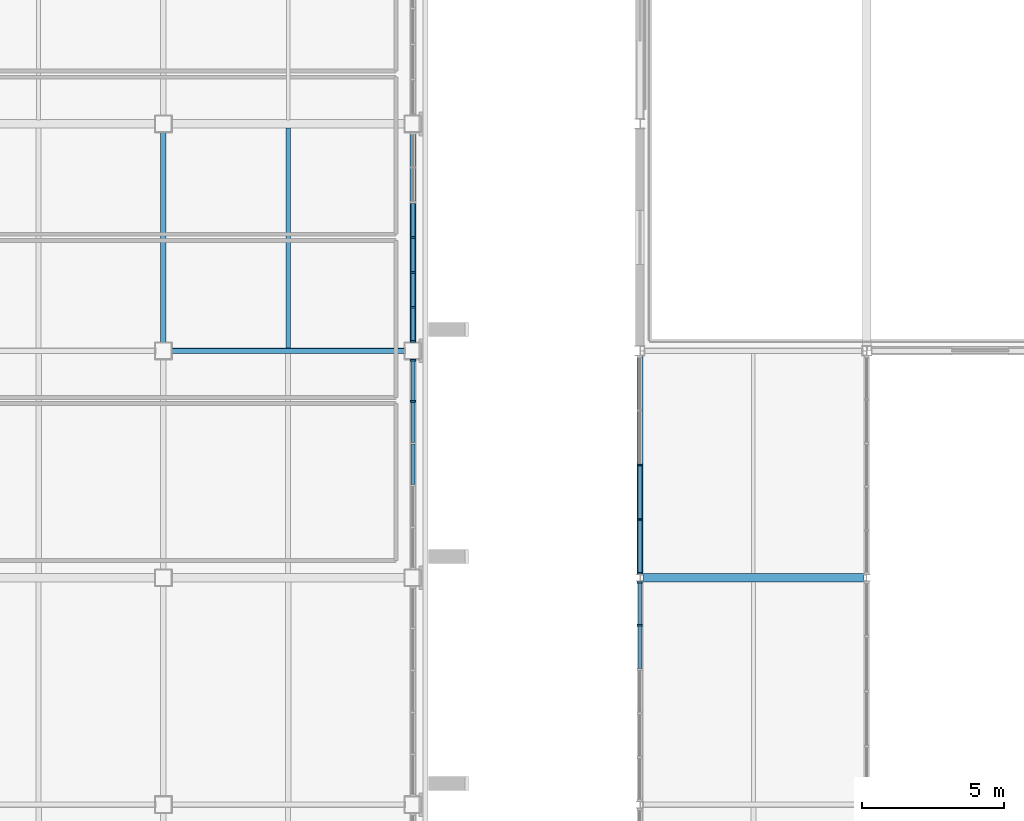
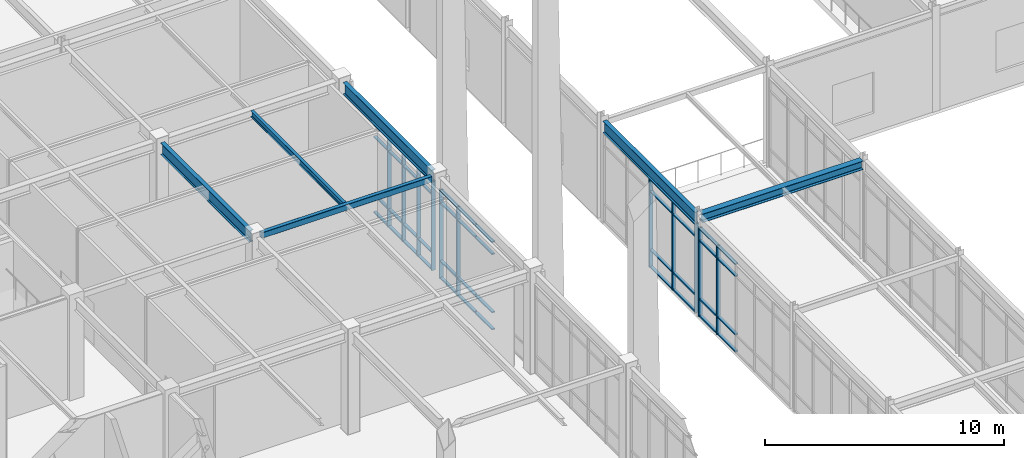
# One storey, part 43 of 184: 55 members, 6 beams, 4 elements without a shape of their own.
"""IFC4 building model written with IfcOpenShell, lengths in metres."""

from ifc_helpers import new_model, si_unit, direction, frame, origin, origin_2d, place, context, subcontext, project, spatial, rectangle, hollow_rectangle, i_section, extrude, material, material_profile, profile_set, type_object, element, aggregate, save


model = new_model("IFC4")

# Units and contexts
model_context = context("Model", 3, precision=1e-05, world=origin(), true_north=direction((0.0, 1.0)))
body_context = subcontext(model_context, "Body", "Model", "MODEL_VIEW")
ifc_project = project(units=[si_unit("LENGTHUNIT", "METRE"), si_unit("AREAUNIT", "SQUARE_METRE"), si_unit("VOLUMEUNIT", "CUBIC_METRE"), si_unit("PLANEANGLEUNIT", "RADIAN"), si_unit("MASSUNIT", "GRAM", prefix="KILO")], contexts=[model_context])

# Site, building, storey
site_placement = place(None, origin())
site = spatial("IfcSite", under=ifc_project, at=site_placement, CompositionType="ELEMENT")
building_placement = place(site_placement, origin())
building = spatial("IfcBuilding", under=site, at=building_placement, Name="Zhaolan Boulevard Law Courts", CompositionType="ELEMENT")
storey_placement = place(building_placement, frame((0.0, 0.0, 5.39990234375)))
storey = spatial("IfcBuildingStorey", under=building, at=storey_placement, Name="L01", CompositionType="ELEMENT", Elevation=5.39990234375)

# Curtain wall, members
ifc_material_1 = material(Name="Thermally broken aluminium and low-E glazing", Category="aluminium")
curtain_wall_type_1 = type_object("IfcCurtainWallType", Name="CURTAIN WALL M20", PredefinedType="USERDEFINED", material=ifc_material_1)
curtain_wall_1_placement = place(storey_placement, origin())
curtain_wall_1 = element("IfcCurtainWall", 1, at=curtain_wall_1_placement, inside=storey, type_object=curtain_wall_type_1, Name="Curtain Wall CW-L01-068", ObjectType="CURTAIN WALL", PredefinedType="USERDEFINED")
ifc_material_2 = material(Name="Fluorocarbon-coated aluminium 6063-T6", Category="aluminium")
ifc_material_profile_1 = material_profile(ifc_material_2, rectangle(XDim=0.179931640625, YDim=0.06494140625, at=origin_2d()), Name="AL65x180")
ifc_profile_set_1 = profile_set([ifc_material_profile_1], Name="Fluorocarbon-coated aluminium 6063-T6")
member_type_1 = type_object("IfcMemberType", Name="CWMULLION 65X180", PredefinedType="MULLION", material=ifc_profile_set_1)
member_1_placement = place(storey_placement, frame((52.0, 53.840576171875, 0.0), z_axis=(0.0, 0.0, 1.0), x_axis=(1.0, 0.0, 0.0)))
member_1 = element("IfcMember", 2, at=member_1_placement, type_object=member_type_1, Name="CW-L01-068 mullion 1", PredefinedType="MULLION", context=body_context, shape_type="SweptSolid", body=[
    extrude(rectangle(XDim=0.179931640625, YDim=0.06494140625, at=origin_2d()), origin(), (0.0, 0.0, 1.0), 4.533203125),
])
member_2_placement = place(storey_placement, frame((52.0, 52.32373046875, 0.0), z_axis=(0.0, 0.0, 1.0), x_axis=(1.0, 0.0, 0.0)))
member_2 = element("IfcMember", 3, at=member_2_placement, type_object=member_type_1, Name="CW-L01-068 mullion 2", PredefinedType="MULLION", context=body_context, shape_type="SweptSolid", body=[
    extrude(rectangle(XDim=0.179931640625, YDim=0.06494140625, at=origin_2d()), origin(), (0.0, 0.0, 1.0), 4.533203125),
])

ifc_material_3 = material(Name="Thermally broken aluminium and low-E glazing", Category="aluminium")
curtain_wall_type_2 = type_object("IfcCurtainWallType", Name="CURTAIN WALL M21", PredefinedType="USERDEFINED", material=ifc_material_3)
curtain_wall_2_placement = place(storey_placement, origin())
curtain_wall_2 = element("IfcCurtainWall", 4, at=curtain_wall_2_placement, inside=storey, type_object=curtain_wall_type_2, Name="Curtain Wall CW-L01-069", ObjectType="CURTAIN WALL", PredefinedType="USERDEFINED")
member_3_placement = place(storey_placement, frame((52.0, 57.97509765625, 0.0), z_axis=(0.0, 0.0, 1.0), x_axis=(1.0, 0.0, 0.0)))
member_3 = element("IfcMember", 5, at=member_3_placement, type_object=member_type_1, Name="CW-L01-069 mullion 3", PredefinedType="MULLION", context=body_context, shape_type="SweptSolid", body=[
    extrude(rectangle(XDim=0.179931640625, YDim=0.06494140625, at=origin_2d()), origin(), (0.0, 0.0, 1.0), 4.533203125),
])
member_4_placement = place(storey_placement, frame((52.0, 56.051025390625, 0.0), z_axis=(0.0, 0.0, 1.0), x_axis=(1.0, 0.0, 0.0)))
member_4 = element("IfcMember", 6, at=member_4_placement, type_object=member_type_1, Name="CW-L01-069 mullion 4", PredefinedType="MULLION", context=body_context, shape_type="SweptSolid", body=[
    extrude(rectangle(XDim=0.179931640625, YDim=0.06494140625, at=origin_2d()), origin(), (0.0, 0.0, 1.0), 4.533203125),
])
member_5_placement = place(storey_placement, frame((52.0, 54.159423828125, 0.0), z_axis=(0.0, 0.0, 1.0), x_axis=(1.0, 0.0, 0.0)))
member_5 = element("IfcMember", 7, at=member_5_placement, type_object=member_type_1, Name="CW-L01-069 mullion 5", PredefinedType="MULLION", context=body_context, shape_type="SweptSolid", body=[
    extrude(rectangle(XDim=0.179931640625, YDim=0.06494140625, at=origin_2d()), origin(), (0.0, 0.0, 1.0), 4.533203125),
])

ifc_material_4 = material(Name="Thermally broken aluminium and low-E glazing", Category="aluminium")
curtain_wall_type_3 = type_object("IfcCurtainWallType", Name="CURTAIN WALL M4", PredefinedType="USERDEFINED", material=ifc_material_4)
curtain_wall_3_placement = place(storey_placement, origin())
curtain_wall_3 = element("IfcCurtainWall", 8, at=curtain_wall_3_placement, inside=storey, type_object=curtain_wall_type_3, Name="Curtain Wall CW-L01-148", ObjectType="CURTAIN WALL", PredefinedType="USERDEFINED")
member_6_placement = place(storey_placement, frame((44.0, 60.21875, 0.0), z_axis=(0.0, 0.0, 1.0), x_axis=(-1.0, 0.0, 0.0)))
member_6 = element("IfcMember", 9, at=member_6_placement, type_object=member_type_1, Name="CW-L01-148 mullion 5", PredefinedType="MULLION", context=body_context, shape_type="SweptSolid", body=[
    extrude(rectangle(XDim=0.179931640625, YDim=0.06494140625, at=origin_2d()), origin(), (0.0, 0.0, 1.0), 4.523193359375),
])
member_7_placement = place(storey_placement, frame((44.0, 61.66552734375, 0.0), z_axis=(0.0, 0.0, 1.0), x_axis=(-1.0, 0.0, 0.0)))
member_7 = element("IfcMember", 10, at=member_7_placement, type_object=member_type_1, Name="CW-L01-148 mullion 6", PredefinedType="MULLION", context=body_context, shape_type="SweptSolid", body=[
    extrude(rectangle(XDim=0.179931640625, YDim=0.06494140625, at=origin_2d()), origin(), (0.0, 0.0, 1.0), 4.523193359375),
])

ifc_material_5 = material(Name="Thermally broken aluminium and low-E glazing", Category="aluminium")
curtain_wall_type_4 = type_object("IfcCurtainWallType", Name="CURTAIN WALL M5", PredefinedType="USERDEFINED", material=ifc_material_5)
curtain_wall_4_placement = place(storey_placement, origin())
curtain_wall_4 = element("IfcCurtainWall", 11, at=curtain_wall_4_placement, inside=storey, type_object=curtain_wall_type_4, Name="Curtain Wall CW-L01-149", ObjectType="CURTAIN WALL", PredefinedType="USERDEFINED")
member_8_placement = place(storey_placement, frame((44.0, 62.33447265625, 0.0), z_axis=(0.0, 0.0, 1.0), x_axis=(-1.0, 0.0, 0.0)))
member_8 = element("IfcMember", 12, at=member_8_placement, type_object=member_type_1, Name="CW-L01-149 mullion 1", PredefinedType="MULLION", context=body_context, shape_type="SweptSolid", body=[
    extrude(rectangle(XDim=0.179931640625, YDim=0.06494140625, at=origin_2d()), origin(), (0.0, 0.0, 1.0), 4.523193359375),
])
member_9_placement = place(storey_placement, frame((44.0, 63.53466796875, 0.0), z_axis=(0.0, 0.0, 1.0), x_axis=(-1.0, 0.0, 0.0)))
member_9 = element("IfcMember", 13, at=member_9_placement, type_object=member_type_1, Name="CW-L01-149 mullion 2", PredefinedType="MULLION", context=body_context, shape_type="SweptSolid", body=[
    extrude(rectangle(XDim=0.179931640625, YDim=0.06494140625, at=origin_2d()), origin(), (0.0, 0.0, 1.0), 4.523193359375),
])
member_10_placement = place(storey_placement, frame((44.0, 64.767333984375, 0.0), z_axis=(0.0, 0.0, 1.0), x_axis=(-1.0, 0.0, 0.0)))
member_10 = element("IfcMember", 14, at=member_10_placement, type_object=member_type_1, Name="CW-L01-149 mullion 3", PredefinedType="MULLION", context=body_context, shape_type="SweptSolid", body=[
    extrude(rectangle(XDim=0.179931640625, YDim=0.06494140625, at=origin_2d()), origin(), (0.0, 0.0, 1.0), 4.523193359375),
])
member_11_placement = place(storey_placement, frame((44.0, 66.0, 0.0), z_axis=(0.0, 0.0, 1.0), x_axis=(-1.0, 0.0, 0.0)))
member_11 = element("IfcMember", 15, at=member_11_placement, type_object=member_type_1, Name="CW-L01-149 mullion 4", PredefinedType="MULLION", context=body_context, shape_type="SweptSolid", body=[
    extrude(rectangle(XDim=0.179931640625, YDim=0.06494140625, at=origin_2d()), origin(), (0.0, 0.0, 1.0), 4.523193359375),
])

# Member
ifc_material_6 = material(Name="Fluorocarbon-coated aluminium 6063-T6", Category="aluminium")
ifc_material_profile_2 = material_profile(ifc_material_6, rectangle(XDim=0.139892578125, YDim=0.06494140625, at=origin_2d()), Name="AL65x140")
ifc_profile_set_2 = profile_set([ifc_material_profile_2], Name="Fluorocarbon-coated aluminium 6063-T6")
member_type_2 = type_object("IfcMemberType", Name="CWTRANSOM 65X140", PredefinedType="USERDEFINED", material=ifc_profile_set_2)
member_12_placement = place(storey_placement, frame((52.0, 53.80810546875, 0.03271484375), z_axis=(0.0, -1.0, 0.0), x_axis=(1.0, 0.0, 0.0)))
member_12 = element("IfcMember", 16, at=member_12_placement, type_object=member_type_2, Name="CW-L01-068 transom 1.1", ObjectType="TRANSOM", PredefinedType="USERDEFINED", context=body_context, shape_type="SweptSolid", body=[
    extrude(rectangle(XDim=0.139892578125, YDim=0.06494140625, at=origin_2d()), origin(), (0.0, 0.0, 1.0), 1.451904296875),
])

member_13_placement = place(storey_placement, frame((52.0, 53.80810546875, 0.900146484375), z_axis=(0.0, -1.0, 0.0), x_axis=(1.0, 0.0, 0.0)))
member_13 = element("IfcMember", 17, at=member_13_placement, type_object=member_type_2, Name="CW-L01-068 transom 1.2", ObjectType="TRANSOM", PredefinedType="USERDEFINED", context=body_context, shape_type="SweptSolid", body=[
    extrude(rectangle(XDim=0.139892578125, YDim=0.06494140625, at=origin_2d()), origin(), (0.0, 0.0, 1.0), 1.451904296875),
])

member_14_placement = place(storey_placement, frame((52.0, 53.80810546875, 3.883056640625), z_axis=(0.0, -1.0, 0.0), x_axis=(1.0, 0.0, 0.0)))
member_14 = element("IfcMember", 18, at=member_14_placement, type_object=member_type_2, Name="CW-L01-068 transom 1.3", ObjectType="TRANSOM", PredefinedType="USERDEFINED", context=body_context, shape_type="SweptSolid", body=[
    extrude(rectangle(XDim=0.139892578125, YDim=0.06494140625, at=origin_2d()), origin(), (0.0, 0.0, 1.0), 1.451904296875),
])

member_15_placement = place(storey_placement, frame((52.0, 53.80810546875, 4.50048828125), z_axis=(0.0, -1.0, 0.0), x_axis=(1.0, 0.0, 0.0)))
member_15 = element("IfcMember", 19, at=member_15_placement, type_object=member_type_2, Name="CW-L01-068 transom 1.4", ObjectType="TRANSOM", PredefinedType="USERDEFINED", context=body_context, shape_type="SweptSolid", body=[
    extrude(rectangle(XDim=0.139892578125, YDim=0.06494140625, at=origin_2d()), origin(), (0.0, 0.0, 1.0), 1.451904296875),
])

member_16_placement = place(storey_placement, frame((52.0, 52.291259765625, 0.03271484375), z_axis=(0.0, -1.0, 0.0), x_axis=(1.0, 0.0, 0.0)))
member_16 = element("IfcMember", 20, at=member_16_placement, type_object=member_type_2, Name="CW-L01-068 transom 2.1", ObjectType="TRANSOM", PredefinedType="USERDEFINED", context=body_context, shape_type="SweptSolid", body=[
    extrude(rectangle(XDim=0.139892578125, YDim=0.06494140625, at=origin_2d()), origin(), (0.0, 0.0, 1.0), 1.484130859375),
])

member_17_placement = place(storey_placement, frame((52.0, 52.291259765625, 0.900146484375), z_axis=(0.0, -1.0, 0.0), x_axis=(1.0, 0.0, 0.0)))
member_17 = element("IfcMember", 21, at=member_17_placement, type_object=member_type_2, Name="CW-L01-068 transom 2.2", ObjectType="TRANSOM", PredefinedType="USERDEFINED", context=body_context, shape_type="SweptSolid", body=[
    extrude(rectangle(XDim=0.139892578125, YDim=0.06494140625, at=origin_2d()), origin(), (0.0, 0.0, 1.0), 1.484130859375),
])

member_18_placement = place(storey_placement, frame((52.0, 52.291259765625, 3.883056640625), z_axis=(0.0, -1.0, 0.0), x_axis=(1.0, 0.0, 0.0)))
member_18 = element("IfcMember", 22, at=member_18_placement, type_object=member_type_2, Name="CW-L01-068 transom 2.3", ObjectType="TRANSOM", PredefinedType="USERDEFINED", context=body_context, shape_type="SweptSolid", body=[
    extrude(rectangle(XDim=0.139892578125, YDim=0.06494140625, at=origin_2d()), origin(), (0.0, 0.0, 1.0), 1.484130859375),
])

member_19_placement = place(storey_placement, frame((52.0, 52.291259765625, 4.50048828125), z_axis=(0.0, -1.0, 0.0), x_axis=(1.0, 0.0, 0.0)))
member_19 = element("IfcMember", 23, at=member_19_placement, type_object=member_type_2, Name="CW-L01-068 transom 2.4", ObjectType="TRANSOM", PredefinedType="USERDEFINED", context=body_context, shape_type="SweptSolid", body=[
    extrude(rectangle(XDim=0.139892578125, YDim=0.06494140625, at=origin_2d()), origin(), (0.0, 0.0, 1.0), 1.484130859375),
])

aggregate(curtain_wall_1, [member_1, member_2, member_12, member_13, member_14, member_15, member_16, member_17, member_18, member_19])

member_20_placement = place(storey_placement, frame((52.0, 57.9423828125, 0.03271484375), z_axis=(0.0, -1.0, 0.0), x_axis=(1.0, 0.0, 0.0)))
member_20 = element("IfcMember", 24, at=member_20_placement, type_object=member_type_2, Name="CW-L01-069 transom 3.1", ObjectType="TRANSOM", PredefinedType="USERDEFINED", context=body_context, shape_type="SweptSolid", body=[
    extrude(rectangle(XDim=0.139892578125, YDim=0.06494140625, at=origin_2d()), origin(), (0.0, 0.0, 1.0), 1.85888671875),
])

member_21_placement = place(storey_placement, frame((52.0, 57.9423828125, 0.900146484375), z_axis=(0.0, -1.0, 0.0), x_axis=(1.0, 0.0, 0.0)))
member_21 = element("IfcMember", 25, at=member_21_placement, type_object=member_type_2, Name="CW-L01-069 transom 3.2", ObjectType="TRANSOM", PredefinedType="USERDEFINED", context=body_context, shape_type="SweptSolid", body=[
    extrude(rectangle(XDim=0.139892578125, YDim=0.06494140625, at=origin_2d()), origin(), (0.0, 0.0, 1.0), 1.85888671875),
])

member_22_placement = place(storey_placement, frame((52.0, 57.9423828125, 3.883056640625), z_axis=(0.0, -1.0, 0.0), x_axis=(1.0, 0.0, 0.0)))
member_22 = element("IfcMember", 26, at=member_22_placement, type_object=member_type_2, Name="CW-L01-069 transom 3.3", ObjectType="TRANSOM", PredefinedType="USERDEFINED", context=body_context, shape_type="SweptSolid", body=[
    extrude(rectangle(XDim=0.139892578125, YDim=0.06494140625, at=origin_2d()), origin(), (0.0, 0.0, 1.0), 1.85888671875),
])

member_23_placement = place(storey_placement, frame((52.0, 57.9423828125, 4.50048828125), z_axis=(0.0, -1.0, 0.0), x_axis=(1.0, 0.0, 0.0)))
member_23 = element("IfcMember", 27, at=member_23_placement, type_object=member_type_2, Name="CW-L01-069 transom 3.4", ObjectType="TRANSOM", PredefinedType="USERDEFINED", context=body_context, shape_type="SweptSolid", body=[
    extrude(rectangle(XDim=0.139892578125, YDim=0.06494140625, at=origin_2d()), origin(), (0.0, 0.0, 1.0), 1.85888671875),
])

member_24_placement = place(storey_placement, frame((52.0, 56.0185546875, 0.03271484375), z_axis=(0.0, -1.0, 0.0), x_axis=(1.0, 0.0, 0.0)))
member_24 = element("IfcMember", 28, at=member_24_placement, type_object=member_type_2, Name="CW-L01-069 transom 4.1", ObjectType="TRANSOM", PredefinedType="USERDEFINED", context=body_context, shape_type="SweptSolid", body=[
    extrude(rectangle(XDim=0.139892578125, YDim=0.06494140625, at=origin_2d()), origin(), (0.0, 0.0, 1.0), 1.82666015625),
])

member_25_placement = place(storey_placement, frame((52.0, 56.0185546875, 0.900146484375), z_axis=(0.0, -1.0, 0.0), x_axis=(1.0, 0.0, 0.0)))
member_25 = element("IfcMember", 29, at=member_25_placement, type_object=member_type_2, Name="CW-L01-069 transom 4.2", ObjectType="TRANSOM", PredefinedType="USERDEFINED", context=body_context, shape_type="SweptSolid", body=[
    extrude(rectangle(XDim=0.139892578125, YDim=0.06494140625, at=origin_2d()), origin(), (0.0, 0.0, 1.0), 1.82666015625),
])

member_26_placement = place(storey_placement, frame((52.0, 56.0185546875, 3.883056640625), z_axis=(0.0, -1.0, 0.0), x_axis=(1.0, 0.0, 0.0)))
member_26 = element("IfcMember", 30, at=member_26_placement, type_object=member_type_2, Name="CW-L01-069 transom 4.3", ObjectType="TRANSOM", PredefinedType="USERDEFINED", context=body_context, shape_type="SweptSolid", body=[
    extrude(rectangle(XDim=0.139892578125, YDim=0.06494140625, at=origin_2d()), origin(), (0.0, 0.0, 1.0), 1.82666015625),
])

member_27_placement = place(storey_placement, frame((52.0, 56.0185546875, 4.50048828125), z_axis=(0.0, -1.0, 0.0), x_axis=(1.0, 0.0, 0.0)))
member_27 = element("IfcMember", 31, at=member_27_placement, type_object=member_type_2, Name="CW-L01-069 transom 4.4", ObjectType="TRANSOM", PredefinedType="USERDEFINED", context=body_context, shape_type="SweptSolid", body=[
    extrude(rectangle(XDim=0.139892578125, YDim=0.06494140625, at=origin_2d()), origin(), (0.0, 0.0, 1.0), 1.82666015625),
])

aggregate(curtain_wall_2, [member_3, member_4, member_5, member_20, member_21, member_22, member_23, member_24, member_25, member_26, member_27])

member_28_placement = place(storey_placement, frame((44.0, 57.29296875, 0.03271484375), z_axis=(0.0, 1.0, 0.0), x_axis=(-1.0, 0.0, 0.0)))
member_28 = element("IfcMember", 32, at=member_28_placement, type_object=member_type_2, Name="CW-L01-148 transom 3.1", ObjectType="TRANSOM", PredefinedType="USERDEFINED", context=body_context, shape_type="SweptSolid", body=[
    extrude(rectangle(XDim=0.139892578125, YDim=0.06494140625, at=origin_2d()), origin(), (0.0, 0.0, 1.0), 1.4140625),
])

member_29_placement = place(storey_placement, frame((44.0, 57.29296875, 0.900146484375), z_axis=(0.0, 1.0, 0.0), x_axis=(-1.0, 0.0, 0.0)))
member_29 = element("IfcMember", 33, at=member_29_placement, type_object=member_type_2, Name="CW-L01-148 transom 3.2", ObjectType="TRANSOM", PredefinedType="USERDEFINED", context=body_context, shape_type="SweptSolid", body=[
    extrude(rectangle(XDim=0.139892578125, YDim=0.06494140625, at=origin_2d()), origin(), (0.0, 0.0, 1.0), 1.4140625),
])

member_30_placement = place(storey_placement, frame((44.0, 57.29296875, 3.873046875), z_axis=(0.0, 1.0, 0.0), x_axis=(-1.0, 0.0, 0.0)))
member_30 = element("IfcMember", 34, at=member_30_placement, type_object=member_type_2, Name="CW-L01-148 transom 3.3", ObjectType="TRANSOM", PredefinedType="USERDEFINED", context=body_context, shape_type="SweptSolid", body=[
    extrude(rectangle(XDim=0.139892578125, YDim=0.06494140625, at=origin_2d()), origin(), (0.0, 0.0, 1.0), 1.4140625),
])

member_31_placement = place(storey_placement, frame((44.0, 57.29296875, 4.490478515625), z_axis=(0.0, 1.0, 0.0), x_axis=(-1.0, 0.0, 0.0)))
member_31 = element("IfcMember", 35, at=member_31_placement, type_object=member_type_2, Name="CW-L01-148 transom 3.4", ObjectType="TRANSOM", PredefinedType="USERDEFINED", context=body_context, shape_type="SweptSolid", body=[
    extrude(rectangle(XDim=0.139892578125, YDim=0.06494140625, at=origin_2d()), origin(), (0.0, 0.0, 1.0), 1.4140625),
])

member_32_placement = place(storey_placement, frame((44.0, 58.772216796875, 0.03271484375), z_axis=(0.0, 1.0, 0.0), x_axis=(-1.0, 0.0, 0.0)))
member_32 = element("IfcMember", 36, at=member_32_placement, type_object=member_type_2, Name="CW-L01-148 transom 4.1", ObjectType="TRANSOM", PredefinedType="USERDEFINED", context=body_context, shape_type="SweptSolid", body=[
    extrude(rectangle(XDim=0.139892578125, YDim=0.06494140625, at=origin_2d()), origin(), (0.0, 0.0, 1.0), 1.4140625),
])

member_33_placement = place(storey_placement, frame((44.0, 58.772216796875, 0.900146484375), z_axis=(0.0, 1.0, 0.0), x_axis=(-1.0, 0.0, 0.0)))
member_33 = element("IfcMember", 37, at=member_33_placement, type_object=member_type_2, Name="CW-L01-148 transom 4.2", ObjectType="TRANSOM", PredefinedType="USERDEFINED", context=body_context, shape_type="SweptSolid", body=[
    extrude(rectangle(XDim=0.139892578125, YDim=0.06494140625, at=origin_2d()), origin(), (0.0, 0.0, 1.0), 1.4140625),
])

member_34_placement = place(storey_placement, frame((44.0, 58.772216796875, 3.873046875), z_axis=(0.0, 1.0, 0.0), x_axis=(-1.0, 0.0, 0.0)))
member_34 = element("IfcMember", 38, at=member_34_placement, type_object=member_type_2, Name="CW-L01-148 transom 4.3", ObjectType="TRANSOM", PredefinedType="USERDEFINED", context=body_context, shape_type="SweptSolid", body=[
    extrude(rectangle(XDim=0.139892578125, YDim=0.06494140625, at=origin_2d()), origin(), (0.0, 0.0, 1.0), 1.4140625),
])

member_35_placement = place(storey_placement, frame((44.0, 58.772216796875, 4.490478515625), z_axis=(0.0, 1.0, 0.0), x_axis=(-1.0, 0.0, 0.0)))
member_35 = element("IfcMember", 39, at=member_35_placement, type_object=member_type_2, Name="CW-L01-148 transom 4.4", ObjectType="TRANSOM", PredefinedType="USERDEFINED", context=body_context, shape_type="SweptSolid", body=[
    extrude(rectangle(XDim=0.139892578125, YDim=0.06494140625, at=origin_2d()), origin(), (0.0, 0.0, 1.0), 1.4140625),
])

member_36_placement = place(storey_placement, frame((44.0, 60.251220703125, 0.03271484375), z_axis=(0.0, 1.0, 0.0), x_axis=(-1.0, 0.0, 0.0)))
member_36 = element("IfcMember", 40, at=member_36_placement, type_object=member_type_2, Name="CW-L01-148 transom 5.1", ObjectType="TRANSOM", PredefinedType="USERDEFINED", context=body_context, shape_type="SweptSolid", body=[
    extrude(rectangle(XDim=0.139892578125, YDim=0.06494140625, at=origin_2d()), origin(), (0.0, 0.0, 1.0), 1.3818359375),
])

member_37_placement = place(storey_placement, frame((44.0, 60.251220703125, 0.900146484375), z_axis=(0.0, 1.0, 0.0), x_axis=(-1.0, 0.0, 0.0)))
member_37 = element("IfcMember", 41, at=member_37_placement, type_object=member_type_2, Name="CW-L01-148 transom 5.2", ObjectType="TRANSOM", PredefinedType="USERDEFINED", context=body_context, shape_type="SweptSolid", body=[
    extrude(rectangle(XDim=0.139892578125, YDim=0.06494140625, at=origin_2d()), origin(), (0.0, 0.0, 1.0), 1.3818359375),
])

member_38_placement = place(storey_placement, frame((44.0, 60.251220703125, 3.873046875), z_axis=(0.0, 1.0, 0.0), x_axis=(-1.0, 0.0, 0.0)))
member_38 = element("IfcMember", 42, at=member_38_placement, type_object=member_type_2, Name="CW-L01-148 transom 5.3", ObjectType="TRANSOM", PredefinedType="USERDEFINED", context=body_context, shape_type="SweptSolid", body=[
    extrude(rectangle(XDim=0.139892578125, YDim=0.06494140625, at=origin_2d()), origin(), (0.0, 0.0, 1.0), 1.3818359375),
])

member_39_placement = place(storey_placement, frame((44.0, 60.251220703125, 4.490478515625), z_axis=(0.0, 1.0, 0.0), x_axis=(-1.0, 0.0, 0.0)))
member_39 = element("IfcMember", 43, at=member_39_placement, type_object=member_type_2, Name="CW-L01-148 transom 5.4", ObjectType="TRANSOM", PredefinedType="USERDEFINED", context=body_context, shape_type="SweptSolid", body=[
    extrude(rectangle(XDim=0.139892578125, YDim=0.06494140625, at=origin_2d()), origin(), (0.0, 0.0, 1.0), 1.3818359375),
])

aggregate(curtain_wall_3, [member_6, member_7, member_28, member_29, member_30, member_31, member_32, member_33, member_34, member_35, member_36, member_37, member_38, member_39])

member_40_placement = place(storey_placement, frame((44.0, 62.366943359375, 0.03271484375), z_axis=(0.0, 1.0, 0.0), x_axis=(-1.0, 0.0, 0.0)))
member_40 = element("IfcMember", 44, at=member_40_placement, type_object=member_type_2, Name="CW-L01-149 transom 1.1", ObjectType="TRANSOM", PredefinedType="USERDEFINED", context=body_context, shape_type="SweptSolid", body=[
    extrude(rectangle(XDim=0.139892578125, YDim=0.06494140625, at=origin_2d()), origin(), (0.0, 0.0, 1.0), 1.13525390625),
])

member_41_placement = place(storey_placement, frame((44.0, 62.366943359375, 0.900146484375), z_axis=(0.0, 1.0, 0.0), x_axis=(-1.0, 0.0, 0.0)))
member_41 = element("IfcMember", 45, at=member_41_placement, type_object=member_type_2, Name="CW-L01-149 transom 1.2", ObjectType="TRANSOM", PredefinedType="USERDEFINED", context=body_context, shape_type="SweptSolid", body=[
    extrude(rectangle(XDim=0.139892578125, YDim=0.06494140625, at=origin_2d()), origin(), (0.0, 0.0, 1.0), 1.13525390625),
])

member_42_placement = place(storey_placement, frame((44.0, 62.366943359375, 3.873046875), z_axis=(0.0, 1.0, 0.0), x_axis=(-1.0, 0.0, 0.0)))
member_42 = element("IfcMember", 46, at=member_42_placement, type_object=member_type_2, Name="CW-L01-149 transom 1.3", ObjectType="TRANSOM", PredefinedType="USERDEFINED", context=body_context, shape_type="SweptSolid", body=[
    extrude(rectangle(XDim=0.139892578125, YDim=0.06494140625, at=origin_2d()), origin(), (0.0, 0.0, 1.0), 1.13525390625),
])

member_43_placement = place(storey_placement, frame((44.0, 62.366943359375, 4.490478515625), z_axis=(0.0, 1.0, 0.0), x_axis=(-1.0, 0.0, 0.0)))
member_43 = element("IfcMember", 47, at=member_43_placement, type_object=member_type_2, Name="CW-L01-149 transom 1.4", ObjectType="TRANSOM", PredefinedType="USERDEFINED", context=body_context, shape_type="SweptSolid", body=[
    extrude(rectangle(XDim=0.139892578125, YDim=0.06494140625, at=origin_2d()), origin(), (0.0, 0.0, 1.0), 1.13525390625),
])

member_44_placement = place(storey_placement, frame((44.0, 63.567138671875, 0.03271484375), z_axis=(0.0, 1.0, 0.0), x_axis=(-1.0, 0.0, 0.0)))
member_44 = element("IfcMember", 48, at=member_44_placement, type_object=member_type_2, Name="CW-L01-149 transom 2.1", ObjectType="TRANSOM", PredefinedType="USERDEFINED", context=body_context, shape_type="SweptSolid", body=[
    extrude(rectangle(XDim=0.139892578125, YDim=0.06494140625, at=origin_2d()), origin(), (0.0, 0.0, 1.0), 1.167724609375),
])

member_45_placement = place(storey_placement, frame((44.0, 63.567138671875, 0.900146484375), z_axis=(0.0, 1.0, 0.0), x_axis=(-1.0, 0.0, 0.0)))
member_45 = element("IfcMember", 49, at=member_45_placement, type_object=member_type_2, Name="CW-L01-149 transom 2.2", ObjectType="TRANSOM", PredefinedType="USERDEFINED", context=body_context, shape_type="SweptSolid", body=[
    extrude(rectangle(XDim=0.139892578125, YDim=0.06494140625, at=origin_2d()), origin(), (0.0, 0.0, 1.0), 1.167724609375),
])

member_46_placement = place(storey_placement, frame((44.0, 63.567138671875, 3.873046875), z_axis=(0.0, 1.0, 0.0), x_axis=(-1.0, 0.0, 0.0)))
member_46 = element("IfcMember", 50, at=member_46_placement, type_object=member_type_2, Name="CW-L01-149 transom 2.3", ObjectType="TRANSOM", PredefinedType="USERDEFINED", context=body_context, shape_type="SweptSolid", body=[
    extrude(rectangle(XDim=0.139892578125, YDim=0.06494140625, at=origin_2d()), origin(), (0.0, 0.0, 1.0), 1.167724609375),
])

member_47_placement = place(storey_placement, frame((44.0, 63.567138671875, 4.490478515625), z_axis=(0.0, 1.0, 0.0), x_axis=(-1.0, 0.0, 0.0)))
member_47 = element("IfcMember", 51, at=member_47_placement, type_object=member_type_2, Name="CW-L01-149 transom 2.4", ObjectType="TRANSOM", PredefinedType="USERDEFINED", context=body_context, shape_type="SweptSolid", body=[
    extrude(rectangle(XDim=0.139892578125, YDim=0.06494140625, at=origin_2d()), origin(), (0.0, 0.0, 1.0), 1.167724609375),
])

member_48_placement = place(storey_placement, frame((44.0, 64.7998046875, 0.03271484375), z_axis=(0.0, 1.0, 0.0), x_axis=(-1.0, 0.0, 0.0)))
member_48 = element("IfcMember", 52, at=member_48_placement, type_object=member_type_2, Name="CW-L01-149 transom 3.1", ObjectType="TRANSOM", PredefinedType="USERDEFINED", context=body_context, shape_type="SweptSolid", body=[
    extrude(rectangle(XDim=0.139892578125, YDim=0.06494140625, at=origin_2d()), origin(), (0.0, 0.0, 1.0), 1.167724609375),
])

member_49_placement = place(storey_placement, frame((44.0, 64.7998046875, 0.900146484375), z_axis=(0.0, 1.0, 0.0), x_axis=(-1.0, 0.0, 0.0)))
member_49 = element("IfcMember", 53, at=member_49_placement, type_object=member_type_2, Name="CW-L01-149 transom 3.2", ObjectType="TRANSOM", PredefinedType="USERDEFINED", context=body_context, shape_type="SweptSolid", body=[
    extrude(rectangle(XDim=0.139892578125, YDim=0.06494140625, at=origin_2d()), origin(), (0.0, 0.0, 1.0), 1.167724609375),
])

member_50_placement = place(storey_placement, frame((44.0, 64.7998046875, 3.873046875), z_axis=(0.0, 1.0, 0.0), x_axis=(-1.0, 0.0, 0.0)))
member_50 = element("IfcMember", 54, at=member_50_placement, type_object=member_type_2, Name="CW-L01-149 transom 3.3", ObjectType="TRANSOM", PredefinedType="USERDEFINED", context=body_context, shape_type="SweptSolid", body=[
    extrude(rectangle(XDim=0.139892578125, YDim=0.06494140625, at=origin_2d()), origin(), (0.0, 0.0, 1.0), 1.167724609375),
])

member_51_placement = place(storey_placement, frame((44.0, 64.7998046875, 4.490478515625), z_axis=(0.0, 1.0, 0.0), x_axis=(-1.0, 0.0, 0.0)))
member_51 = element("IfcMember", 55, at=member_51_placement, type_object=member_type_2, Name="CW-L01-149 transom 3.4", ObjectType="TRANSOM", PredefinedType="USERDEFINED", context=body_context, shape_type="SweptSolid", body=[
    extrude(rectangle(XDim=0.139892578125, YDim=0.06494140625, at=origin_2d()), origin(), (0.0, 0.0, 1.0), 1.167724609375),
])

member_52_placement = place(storey_placement, frame((44.0, 66.032470703125, 0.03271484375), z_axis=(0.0, 1.0, 0.0), x_axis=(-1.0, 0.0, 0.0)))
member_52 = element("IfcMember", 56, at=member_52_placement, type_object=member_type_2, Name="CW-L01-149 transom 4.1", ObjectType="TRANSOM", PredefinedType="USERDEFINED", context=body_context, shape_type="SweptSolid", body=[
    extrude(rectangle(XDim=0.139892578125, YDim=0.06494140625, at=origin_2d()), origin(), (0.0, 0.0, 1.0), 1.167724609375),
])

member_53_placement = place(storey_placement, frame((44.0, 66.032470703125, 0.900146484375), z_axis=(0.0, 1.0, 0.0), x_axis=(-1.0, 0.0, 0.0)))
member_53 = element("IfcMember", 57, at=member_53_placement, type_object=member_type_2, Name="CW-L01-149 transom 4.2", ObjectType="TRANSOM", PredefinedType="USERDEFINED", context=body_context, shape_type="SweptSolid", body=[
    extrude(rectangle(XDim=0.139892578125, YDim=0.06494140625, at=origin_2d()), origin(), (0.0, 0.0, 1.0), 1.167724609375),
])

member_54_placement = place(storey_placement, frame((44.0, 66.032470703125, 3.873046875), z_axis=(0.0, 1.0, 0.0), x_axis=(-1.0, 0.0, 0.0)))
member_54 = element("IfcMember", 58, at=member_54_placement, type_object=member_type_2, Name="CW-L01-149 transom 4.3", ObjectType="TRANSOM", PredefinedType="USERDEFINED", context=body_context, shape_type="SweptSolid", body=[
    extrude(rectangle(XDim=0.139892578125, YDim=0.06494140625, at=origin_2d()), origin(), (0.0, 0.0, 1.0), 1.167724609375),
])

member_55_placement = place(storey_placement, frame((44.0, 66.032470703125, 4.490478515625), z_axis=(0.0, 1.0, 0.0), x_axis=(-1.0, 0.0, 0.0)))
member_55 = element("IfcMember", 59, at=member_55_placement, type_object=member_type_2, Name="CW-L01-149 transom 4.4", ObjectType="TRANSOM", PredefinedType="USERDEFINED", context=body_context, shape_type="SweptSolid", body=[
    extrude(rectangle(XDim=0.139892578125, YDim=0.06494140625, at=origin_2d()), origin(), (0.0, 0.0, 1.0), 1.167724609375),
])

aggregate(curtain_wall_4, [member_8, member_9, member_10, member_11, member_40, member_41, member_42, member_43, member_44, member_45, member_46, member_47, member_48, member_49, member_50, member_51, member_52, member_53, member_54, member_55])

# Beams
ifc_material_7 = material(Name="Structural steel Q355B", Category="steel")
ifc_material_profile_3 = material_profile(ifc_material_7, i_section(OverallWidth=0.300048828125, OverallDepth=0.43994140625, WebThickness=0.010986328125, FlangeThickness=0.01806640625, FilletRadius=0.02001953125, at=origin_2d()), Name="HM440x300")
ifc_profile_set_3 = profile_set([ifc_material_profile_3], Name="Structural steel Q355B")
beam_type_1 = type_object("IfcBeamType", Name="GIRDER HM440", PredefinedType="BEAM", material=ifc_profile_set_3)
beam_1_placement = place(storey_placement, frame((52.12109375, 54.0, 4.927978515625), z_axis=(1.0, 0.0, 0.0), x_axis=(0.0, 1.0, 0.0)))
element("IfcBeam", 60, at=beam_1_placement, inside=storey, type_object=beam_type_1, Name="Beam BX-L02-7-8-H", PredefinedType="BEAM", context=body_context, shape_type="SweptSolid", body=[
    extrude(i_section(OverallWidth=0.300048828125, OverallDepth=0.43994140625, WebThickness=0.010986328125, FlangeThickness=0.01806640625, FilletRadius=0.02001953125, at=origin_2d()), origin(), (0.0, 0.0, 1.0), 7.7578125),
])
ifc_material_8 = material(Name="Structural steel Q355B", Category="steel")
ifc_material_profile_4 = material_profile(ifc_material_8, i_section(OverallWidth=0.199951171875, OverallDepth=0.60009765625, WebThickness=0.010986328125, FlangeThickness=0.01708984375, FilletRadius=0.02001953125, at=origin_2d()), Name="HN600x200")
ifc_profile_set_4 = profile_set([ifc_material_profile_4], Name="Structural steel Q355B")
beam_type_2 = type_object("IfcBeamType", Name="GIRDER HN600", PredefinedType="BEAM", material=ifc_profile_set_4)
for number, where, z_axis, x_axis, name in (
    (61, (35.199951171875, 62.2958984375, 4.838134765625), (0.0, 1.0, 0.0), (-1.0, 0.0, 0.0), "Beam BY-L02-5-J-K"),
    (62, (44.0, 62.2958984375, 4.838134765625), (0.0, 1.0, 0.0), (-1.0, 0.0, 0.0), "Beam BY-L02-6-J-K"),
):
    element("IfcBeam", number, at=place(storey_placement, frame(where, z_axis=z_axis, x_axis=x_axis)), inside=storey, type_object=beam_type_2, Name=name, PredefinedType="BEAM", context=body_context, shape_type="SweptSolid", body=[
        extrude(i_section(OverallWidth=0.199951171875, OverallDepth=0.60009765625, WebThickness=0.010986328125, FlangeThickness=0.01708984375, FilletRadius=0.02001953125, at=origin_2d()), origin(), (0.0, 0.0, 1.0), 7.408203125),
    ])
beam_2_placement = place(storey_placement, frame((52.0, 54.12109375, 4.84814453125), z_axis=(0.0, 1.0, 0.0), x_axis=(-1.0, 0.0, 0.0)))
element("IfcBeam", 63, at=beam_2_placement, inside=storey, type_object=beam_type_2, Name="Beam BY-L02-7-H-J", PredefinedType="BEAM", context=body_context, shape_type="SweptSolid", body=[
    extrude(i_section(OverallWidth=0.199951171875, OverallDepth=0.60009765625, WebThickness=0.010986328125, FlangeThickness=0.01708984375, FilletRadius=0.02001953125, at=origin_2d()), origin(), (0.0, 0.0, 1.0), 7.7080078125),
])
ifc_material_9 = material(Name="Structural steel Q355B", Category="steel")
ifc_material_profile_5 = material_profile(ifc_material_9, i_section(OverallWidth=0.14990234375, OverallDepth=0.300048828125, WebThickness=0.006591796875, FlangeThickness=0.009033203125, FilletRadius=0.010986328125, at=origin_2d()), Name="HN300x150")
ifc_profile_set_5 = profile_set([ifc_material_profile_5], Name="Structural steel Q355B")
beam_type_3 = type_object("IfcBeamType", Name="JOIST HN300", PredefinedType="JOIST", material=ifc_profile_set_5)
beam_3_placement = place(storey_placement, frame((39.60009765625, 62.095947265625, 4.988037109375), z_axis=(0.0, 1.0, 0.0), x_axis=(-1.0, 0.0, 0.0)))
element("IfcBeam", 64, at=beam_3_placement, inside=storey, type_object=beam_type_3, Name="Composite Joist J-L02-5J", PredefinedType="JOIST", context=body_context, shape_type="SweptSolid", body=[
    extrude(i_section(OverallWidth=0.14990234375, OverallDepth=0.300048828125, WebThickness=0.006591796875, FlangeThickness=0.009033203125, FilletRadius=0.010986328125, at=origin_2d()), origin(), (0.0, 0.0, 1.0), 7.758056640625),
])
ifc_material_10 = material(Name="Structural steel Q355B", Category="steel")
ifc_material_profile_6 = material_profile(ifc_material_10, hollow_rectangle(XDim=0.199951171875, YDim=0.300048828125, WallThickness=0.011962890625, InnerFilletRadius=0.011962890625, OuterFilletRadius=0.02392578125, at=origin_2d()), Name="HSS300x200x12")
ifc_profile_set_6 = profile_set([ifc_material_profile_6], Name="Structural steel Q355B")
beam_type_4 = type_object("IfcBeamType", Name="SPANDREL HSS300", PredefinedType="SPANDREL", material=ifc_profile_set_6)
beam_4_placement = place(storey_placement, frame((35.49609375, 62.0, 4.988037109375), z_axis=(1.0, 0.0, 0.0), x_axis=(0.0, 1.0, 0.0)))
element("IfcBeam", 65, at=beam_4_placement, inside=storey, type_object=beam_type_4, Name="Beam BX-L02-5-6-J", PredefinedType="SPANDREL", context=body_context, shape_type="SweptSolid", body=[
    extrude(hollow_rectangle(XDim=0.199951171875, YDim=0.300048828125, WallThickness=0.011962890625, InnerFilletRadius=0.011962890625, OuterFilletRadius=0.02392578125, at=origin_2d()), origin(), (0.0, 0.0, 1.0), 8.2080078125),
])

save(model, "model.ifc")
